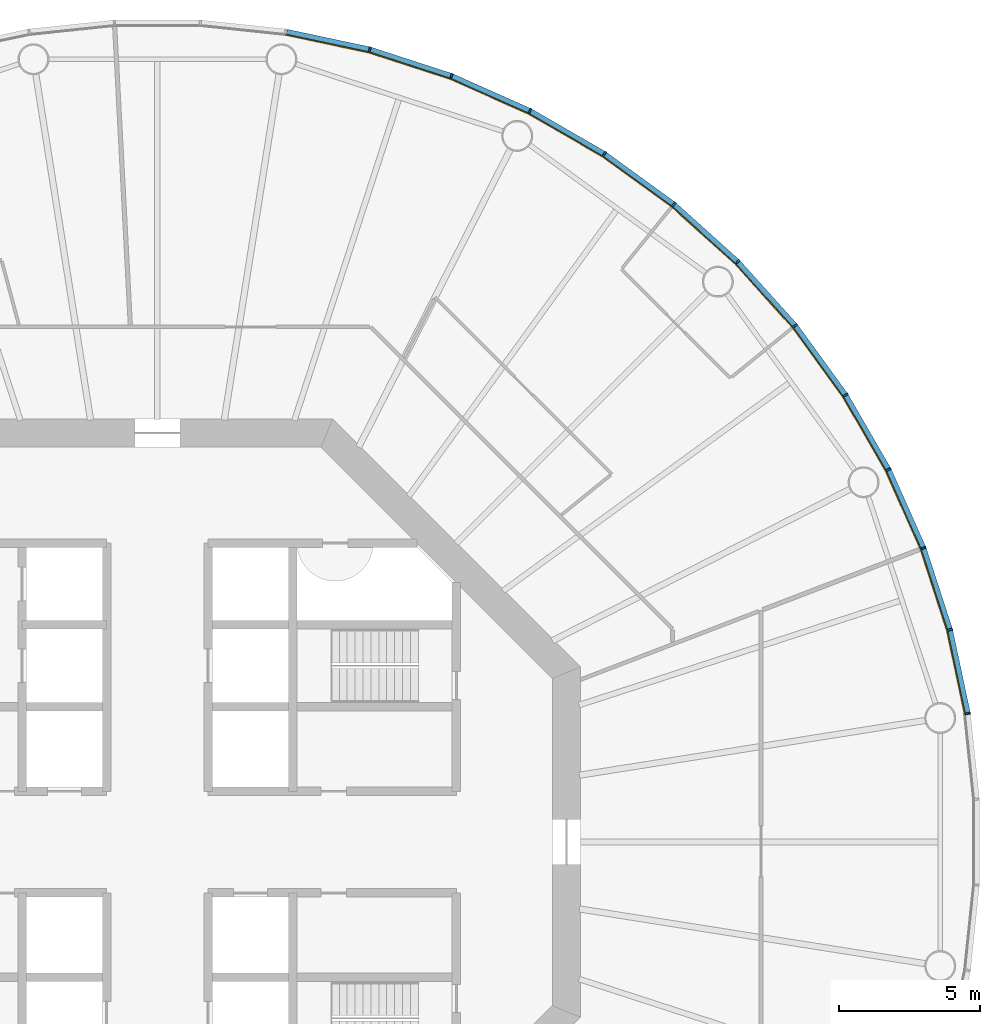
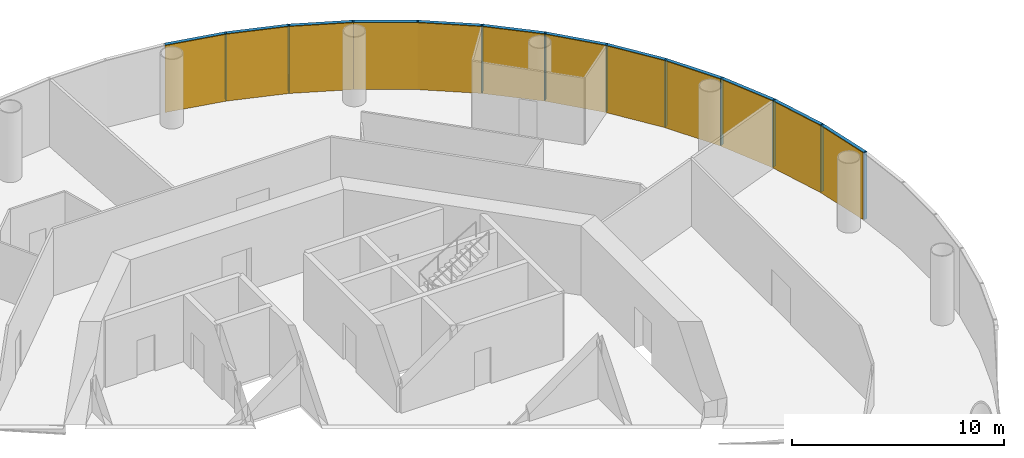
# One storey, part 12 of 13: 24 members, 4 curtain walls.
"""IFC4 building model written with IfcOpenShell, lengths in metres."""

from ifc_helpers import new_model, si_unit, direction, frame, origin, origin_2d, place, context, subcontext, project, spatial, polyline, rectangle, outline, extrude, material, layer, layer_set, material_profile, profile_set, type_object, element, aggregate, save


model = new_model("IFC4")

# Units and contexts
model_context = context("Model", 3, precision=1e-05, world=origin(), true_north=direction((0.0, 1.0)))
body_context = subcontext(model_context, "Body", "Model", "MODEL_VIEW")
ifc_project = project(units=[si_unit("LENGTHUNIT", "METRE"), si_unit("AREAUNIT", "SQUARE_METRE"), si_unit("VOLUMEUNIT", "CUBIC_METRE"), si_unit("PLANEANGLEUNIT", "RADIAN"), si_unit("MASSUNIT", "GRAM", prefix="KILO")], contexts=[model_context])

# Member
ifc_material_1 = material(Name="Anodised aluminium", Category="aluminium")
ifc_material_profile_1 = material_profile(ifc_material_1, rectangle(XDim=0.06494140625, YDim=0.18505859375, at=origin_2d()), Name="Mullion 65 x 185 mm anodised aluminium")
ifc_profile_set_1 = profile_set([ifc_material_profile_1], Name="Anodised aluminium")
member_type_1 = type_object("IfcMemberType", Name="Mullion 65 x 185 mm anodised aluminium", PredefinedType="MULLION", material=ifc_profile_set_1)
site_placement = place(None, origin())
building_placement = place(site_placement, origin())
storey_placement = place(building_placement, frame((0.0, 0.0, 184.0)))
member_1_placement = place(storey_placement, frame((118.734375, 84.551025390625, 0.0), z_axis=(0.0, 0.0, 1.0), x_axis=(-0.15643446504, 0.987688340595, 0.0)))
member_1 = element("IfcMember", 1, at=member_1_placement, type_object=member_type_1, Name="MULLION L42-00", PredefinedType="MULLION", context=body_context, shape_type="SweptSolid", body=[
    extrude(rectangle(XDim=0.06494140625, YDim=0.18505859375, at=origin_2d()), origin(), (0.0, 0.0, 1.0), 3.85009765625),
])

member_2_placement = place(storey_placement, frame((118.101318359375, 87.52978515625, 0.0), z_axis=(0.0, 0.0, 1.0), x_axis=(-0.258819045103, 0.965925826289, 0.0)))
member_2 = element("IfcMember", 2, at=member_2_placement, type_object=member_type_1, Name="MULLION L42-01", PredefinedType="MULLION", context=body_context, shape_type="SweptSolid", body=[
    extrude(rectangle(XDim=0.06494140625, YDim=0.18505859375, at=origin_2d()), origin(), (0.0, 0.0, 1.0), 3.85009765625),
])

member_3_placement = place(storey_placement, frame((117.16015625, 90.42578125, 0.0), z_axis=(0.0, 0.0, 1.0), x_axis=(-0.358367949545, 0.933580426497, 0.0)))
member_3 = element("IfcMember", 3, at=member_3_placement, type_object=member_type_1, Name="MULLION L42-02", PredefinedType="MULLION", context=body_context, shape_type="SweptSolid", body=[
    extrude(rectangle(XDim=0.06494140625, YDim=0.18505859375, at=origin_2d()), origin(), (0.0, 0.0, 1.0), 3.85009765625),
])

member_4_placement = place(storey_placement, frame((115.921630859375, 93.207763671875, 0.0), z_axis=(0.0, 0.0, 1.0), x_axis=(-0.45399049974, 0.891006524188, 0.0)))
member_4 = element("IfcMember", 4, at=member_4_placement, type_object=member_type_1, Name="MULLION L42-03", PredefinedType="MULLION", context=body_context, shape_type="SweptSolid", body=[
    extrude(rectangle(XDim=0.06494140625, YDim=0.18505859375, at=origin_2d()), origin(), (0.0, 0.0, 1.0), 3.85009765625),
])

member_5_placement = place(storey_placement, frame((114.39892578125, 95.844970703125, 0.0), z_axis=(0.0, 0.0, 1.0), x_axis=(-0.544639035015, 0.838670567945, 0.0)))
member_5 = element("IfcMember", 5, at=member_5_placement, type_object=member_type_1, Name="MULLION L42-04", PredefinedType="MULLION", context=body_context, shape_type="SweptSolid", body=[
    extrude(rectangle(XDim=0.06494140625, YDim=0.18505859375, at=origin_2d()), origin(), (0.0, 0.0, 1.0), 3.85009765625),
])

member_6_placement = place(storey_placement, frame((112.609130859375, 98.30859375, 0.0), z_axis=(0.0, 0.0, 1.0), x_axis=(-0.62932039105, 0.777145961457, 0.0)))
member_6 = element("IfcMember", 6, at=member_6_placement, type_object=member_type_1, Name="MULLION L42-05", PredefinedType="MULLION", context=body_context, shape_type="SweptSolid", body=[
    extrude(rectangle(XDim=0.06494140625, YDim=0.18505859375, at=origin_2d()), origin(), (0.0, 0.0, 1.0), 3.85009765625),
])

member_7_placement = place(storey_placement, frame((110.571533203125, 100.571533203125, 0.0), z_axis=(0.0, 0.0, 1.0), x_axis=(-0.707106781187, 0.707106781187, 0.0)))
member_7 = element("IfcMember", 7, at=member_7_placement, type_object=member_type_1, Name="MULLION L42-06", PredefinedType="MULLION", context=body_context, shape_type="SweptSolid", body=[
    extrude(rectangle(XDim=0.06494140625, YDim=0.18505859375, at=origin_2d()), origin(), (0.0, 0.0, 1.0), 3.85009765625),
])

member_8_placement = place(storey_placement, frame((108.30859375, 102.609130859375, 0.0), z_axis=(0.0, 0.0, 1.0), x_axis=(-0.777145961457, 0.62932039105, 0.0)))
member_8 = element("IfcMember", 8, at=member_8_placement, type_object=member_type_1, Name="MULLION L42-07", PredefinedType="MULLION", context=body_context, shape_type="SweptSolid", body=[
    extrude(rectangle(XDim=0.06494140625, YDim=0.18505859375, at=origin_2d()), origin(), (0.0, 0.0, 1.0), 3.85009765625),
])

member_9_placement = place(storey_placement, frame((105.844970703125, 104.39892578125, 0.0), z_axis=(0.0, 0.0, 1.0), x_axis=(-0.838670567945, 0.544639035015, 0.0)))
member_9 = element("IfcMember", 9, at=member_9_placement, type_object=member_type_1, Name="MULLION L42-08", PredefinedType="MULLION", context=body_context, shape_type="SweptSolid", body=[
    extrude(rectangle(XDim=0.06494140625, YDim=0.18505859375, at=origin_2d()), origin(), (0.0, 0.0, 1.0), 3.85009765625),
])

member_10_placement = place(storey_placement, frame((103.207763671875, 105.921630859375, 0.0), z_axis=(0.0, 0.0, 1.0), x_axis=(-0.891006524188, 0.45399049974, 0.0)))
member_10 = element("IfcMember", 10, at=member_10_placement, type_object=member_type_1, Name="MULLION L42-09", PredefinedType="MULLION", context=body_context, shape_type="SweptSolid", body=[
    extrude(rectangle(XDim=0.06494140625, YDim=0.18505859375, at=origin_2d()), origin(), (0.0, 0.0, 1.0), 3.85009765625),
])

member_11_placement = place(storey_placement, frame((100.42578125, 107.16015625, 0.0), z_axis=(0.0, 0.0, 1.0), x_axis=(-0.933580426497, 0.358367949545, 0.0)))
member_11 = element("IfcMember", 11, at=member_11_placement, type_object=member_type_1, Name="MULLION L42-10", PredefinedType="MULLION", context=body_context, shape_type="SweptSolid", body=[
    extrude(rectangle(XDim=0.06494140625, YDim=0.18505859375, at=origin_2d()), origin(), (0.0, 0.0, 1.0), 3.85009765625),
])

member_12_placement = place(storey_placement, frame((97.52978515625, 108.101318359375, 0.0), z_axis=(0.0, 0.0, 1.0), x_axis=(-0.965925826289, 0.258819045103, 0.0)))
member_12 = element("IfcMember", 12, at=member_12_placement, type_object=member_type_1, Name="MULLION L42-11", PredefinedType="MULLION", context=body_context, shape_type="SweptSolid", body=[
    extrude(rectangle(XDim=0.06494140625, YDim=0.18505859375, at=origin_2d()), origin(), (0.0, 0.0, 1.0), 3.85009765625),
])

ifc_material_2 = material(Name="Anodised aluminium", Category="aluminium")
ifc_material_profile_2 = material_profile(ifc_material_2, rectangle(XDim=0.18505859375, YDim=0.175048828125, at=origin_2d()), Name="Transom 175 x 185 mm anodised aluminium")
ifc_profile_set_2 = profile_set([ifc_material_profile_2], Name="Anodised aluminium")
member_type_2 = type_object("IfcMemberType", Name="Transom 175 x 185 mm anodised aluminium", PredefinedType="USERDEFINED", material=ifc_profile_set_2)
member_13_placement = place(storey_placement, frame((118.7265625, 84.587646484375, 3.762451171875), z_axis=(-0.207861704825, 0.97815822425, 0.0), x_axis=(-0.97815822425, -0.207861704825, 0.0)))
member_13 = element("IfcMember", 13, at=member_13_placement, type_object=member_type_2, Name="TRANSOM L42-00", ObjectType="TRANSOM", PredefinedType="USERDEFINED", context=body_context, shape_type="SweptSolid", body=[
    extrude(rectangle(XDim=0.18505859375, YDim=0.175048828125, at=origin_2d()), origin(), (0.0, 0.0, 1.0), 2.970458984375),
])

member_14_placement = place(storey_placement, frame((118.08984375, 87.565185546875, 3.762451171875), z_axis=(-0.30901917063, 0.951055809184, 0.0), x_axis=(-0.951055809184, -0.30901917063, 0.0)))
member_14 = element("IfcMember", 14, at=member_14_placement, type_object=member_type_2, Name="TRANSOM L42-01", ObjectType="TRANSOM", PredefinedType="USERDEFINED", context=body_context, shape_type="SweptSolid", body=[
    extrude(rectangle(XDim=0.18505859375, YDim=0.175048828125, at=origin_2d()), origin(), (0.0, 0.0, 1.0), 2.970703125),
])

member_15_placement = place(storey_placement, frame((117.14501953125, 90.4599609375, 3.762451171875), z_axis=(-0.406687471156, 0.913567348806, 0.0), x_axis=(-0.913567348806, -0.406687471156, 0.0)))
member_15 = element("IfcMember", 15, at=member_15_placement, type_object=member_type_2, Name="TRANSOM L42-02", ObjectType="TRANSOM", PredefinedType="USERDEFINED", context=body_context, shape_type="SweptSolid", body=[
    extrude(rectangle(XDim=0.18505859375, YDim=0.175048828125, at=origin_2d()), origin(), (0.0, 0.0, 1.0), 2.970458984375),
])

member_16_placement = place(storey_placement, frame((115.903076171875, 93.240234375, 3.762451171875), z_axis=(-0.500028367561, 0.866009025146, 0.0), x_axis=(-0.866009025146, -0.500028367561, 0.0)))
member_16 = element("IfcMember", 16, at=member_16_placement, type_object=member_type_2, Name="TRANSOM L42-03", ObjectType="TRANSOM", PredefinedType="USERDEFINED", context=body_context, shape_type="SweptSolid", body=[
    extrude(rectangle(XDim=0.18505859375, YDim=0.175048828125, at=origin_2d()), origin(), (0.0, 0.0, 1.0), 2.970458984375),
])

member_17_placement = place(storey_placement, frame((114.377197265625, 95.875244140625, 3.762451171875), z_axis=(-0.587819781808, 0.808991906087, 0.0), x_axis=(-0.808991906087, -0.587819781808, 0.0)))
member_17 = element("IfcMember", 17, at=member_17_placement, type_object=member_type_2, Name="TRANSOM L42-04", ObjectType="TRANSOM", PredefinedType="USERDEFINED", context=body_context, shape_type="SweptSolid", body=[
    extrude(rectangle(XDim=0.18505859375, YDim=0.175048828125, at=origin_2d()), origin(), (0.0, 0.0, 1.0), 2.970458984375),
])

member_18_placement = place(storey_placement, frame((112.584228515625, 98.33642578125, 3.762451171875), z_axis=(-0.669110027395, 0.743163354343, 0.0), x_axis=(-0.743163354343, -0.669110027395, 0.0)))
member_18 = element("IfcMember", 18, at=member_18_placement, type_object=member_type_2, Name="TRANSOM L42-05", ObjectType="TRANSOM", PredefinedType="USERDEFINED", context=body_context, shape_type="SweptSolid", body=[
    extrude(rectangle(XDim=0.18505859375, YDim=0.175048828125, at=origin_2d()), origin(), (0.0, 0.0, 1.0), 2.970458984375),
])

member_19_placement = place(storey_placement, frame((110.5439453125, 100.5966796875, 3.762451171875), z_axis=(-0.743163354343, 0.669110027395, 0.0), x_axis=(-0.669110027395, -0.743163354343, 0.0)))
member_19 = element("IfcMember", 19, at=member_19_placement, type_object=member_type_2, Name="TRANSOM L42-06", ObjectType="TRANSOM", PredefinedType="USERDEFINED", context=body_context, shape_type="SweptSolid", body=[
    extrude(rectangle(XDim=0.18505859375, YDim=0.175048828125, at=origin_2d()), origin(), (0.0, 0.0, 1.0), 2.970458984375),
])

member_20_placement = place(storey_placement, frame((108.2783203125, 102.631103515625, 3.762451171875), z_axis=(-0.808991906087, 0.587819781808, 0.0), x_axis=(-0.587819781808, -0.808991906087, 0.0)))
member_20 = element("IfcMember", 20, at=member_20_placement, type_object=member_type_2, Name="TRANSOM L42-07", ObjectType="TRANSOM", PredefinedType="USERDEFINED", context=body_context, shape_type="SweptSolid", body=[
    extrude(rectangle(XDim=0.18505859375, YDim=0.175048828125, at=origin_2d()), origin(), (0.0, 0.0, 1.0), 2.970458984375),
])

member_21_placement = place(storey_placement, frame((105.812744140625, 104.417724609375, 3.762451171875), z_axis=(-0.866009025146, 0.500028367561, 0.0), x_axis=(-0.500028367561, -0.866009025146, 0.0)))
member_21 = element("IfcMember", 21, at=member_21_placement, type_object=member_type_2, Name="TRANSOM L42-08", ObjectType="TRANSOM", PredefinedType="USERDEFINED", context=body_context, shape_type="SweptSolid", body=[
    extrude(rectangle(XDim=0.18505859375, YDim=0.175048828125, at=origin_2d()), origin(), (0.0, 0.0, 1.0), 2.970458984375),
])

member_22_placement = place(storey_placement, frame((103.173583984375, 105.93701171875, 3.762451171875), z_axis=(-0.913567348806, 0.406687471156, 0.0), x_axis=(-0.406687471156, -0.913567348806, 0.0)))
member_22 = element("IfcMember", 22, at=member_22_placement, type_object=member_type_2, Name="TRANSOM L42-09", ObjectType="TRANSOM", PredefinedType="USERDEFINED", context=body_context, shape_type="SweptSolid", body=[
    extrude(rectangle(XDim=0.18505859375, YDim=0.175048828125, at=origin_2d()), origin(), (0.0, 0.0, 1.0), 2.970458984375),
])

member_23_placement = place(storey_placement, frame((100.390380859375, 107.171875, 3.762451171875), z_axis=(-0.951055809184, 0.30901917063, 0.0), x_axis=(-0.30901917063, -0.951055809184, 0.0)))
member_23 = element("IfcMember", 23, at=member_23_placement, type_object=member_type_2, Name="TRANSOM L42-10", ObjectType="TRANSOM", PredefinedType="USERDEFINED", context=body_context, shape_type="SweptSolid", body=[
    extrude(rectangle(XDim=0.18505859375, YDim=0.175048828125, at=origin_2d()), origin(), (0.0, 0.0, 1.0), 2.970703125),
])

member_24_placement = place(storey_placement, frame((97.4931640625, 108.109130859375, 3.762451171875), z_axis=(-0.97815822425, 0.207861704825, 0.0), x_axis=(-0.207861704825, -0.97815822425, 0.0)))
member_24 = element("IfcMember", 24, at=member_24_placement, type_object=member_type_2, Name="TRANSOM L42-11", ObjectType="TRANSOM", PredefinedType="USERDEFINED", context=body_context, shape_type="SweptSolid", body=[
    extrude(rectangle(XDim=0.18505859375, YDim=0.175048828125, at=origin_2d()), origin(), (0.0, 0.0, 1.0), 2.970458984375),
])

# Site, building, storey
site = spatial("IfcSite", under=ifc_project, at=site_placement, CompositionType="ELEMENT")
building = spatial("IfcBuilding", under=site, at=building_placement, Name="Entoto Ring Tower", CompositionType="ELEMENT")
storey = spatial("IfcBuildingStorey", under=building, at=storey_placement, Name="L42", CompositionType="ELEMENT", Elevation=184.0)

# Curtain wall
ifc_material_3 = material(Name="Clear low-iron glass", Category="glass")
ifc_layer = layer(ifc_material_3, 0.033935546875)
ifc_layer_set = layer_set([ifc_layer], Name="Clear low-iron glass")
curtain_wall_type = type_object("IfcCurtainWallType", Name="Curtain wall system CW3 glazing 34 mm", PredefinedType="NOTDEFINED", material=ifc_layer_set)
curtain_wall_1_placement = place(storey_placement, origin())
curtain_wall_1 = element("IfcCurtainWall", 25, at=curtain_wall_1_placement, inside=storey, type_object=curtain_wall_type, Name="CW3 L42-01", PredefinedType="NOTDEFINED", context=body_context, shape_type="SweptSolid", body=[
    extrude(outline(polyline([(118.64306640625, 84.53662109375), (118.011962890625, 87.505859375), (117.07373046875, 90.392578125), (115.839111328125, 93.165771484375), (115.808837890625, 93.150146484375), (117.0419921875, 90.38037109375), (117.97900390625, 87.496826171875), (118.609375, 84.53125), (118.64306640625, 84.53662109375)])), origin(), (0.0, 0.0, 1.0), 3.85009765625),
])

aggregate(curtain_wall_1, [member_1, member_2, member_3, member_13, member_14, member_15])

curtain_wall_2_placement = place(storey_placement, origin())
curtain_wall_2 = element("IfcCurtainWall", 26, at=curtain_wall_2_placement, inside=storey, type_object=curtain_wall_type, Name="CW3 L42-02", PredefinedType="NOTDEFINED", context=body_context, shape_type="SweptSolid", body=[
    extrude(outline(polyline([(115.839111328125, 93.165771484375), (114.321533203125, 95.79443359375), (112.537353515625, 98.250244140625), (110.506103515625, 100.506103515625), (110.48193359375, 100.48193359375), (112.5107421875, 98.228759765625), (114.29296875, 95.77587890625), (115.808837890625, 93.150146484375), (115.839111328125, 93.165771484375)])), origin(), (0.0, 0.0, 1.0), 3.85009765625),
])

aggregate(curtain_wall_2, [member_4, member_5, member_6, member_16, member_17, member_18])

curtain_wall_3_placement = place(storey_placement, origin())
curtain_wall_3 = element("IfcCurtainWall", 27, at=curtain_wall_3_placement, inside=storey, type_object=curtain_wall_type, Name="CW3 L42-03", PredefinedType="NOTDEFINED", context=body_context, shape_type="SweptSolid", body=[
    extrude(outline(polyline([(110.506103515625, 100.506103515625), (108.250244140625, 102.537353515625), (105.79443359375, 104.321533203125), (103.165771484375, 105.839111328125), (103.150146484375, 105.808837890625), (105.77587890625, 104.29296875), (108.228759765625, 102.5107421875), (110.48193359375, 100.48193359375), (110.506103515625, 100.506103515625)])), origin(), (0.0, 0.0, 1.0), 3.85009765625),
])

aggregate(curtain_wall_3, [member_7, member_8, member_9, member_19, member_20, member_21])

curtain_wall_4_placement = place(storey_placement, origin())
curtain_wall_4 = element("IfcCurtainWall", 28, at=curtain_wall_4_placement, inside=storey, type_object=curtain_wall_type, Name="CW3 L42-04", PredefinedType="NOTDEFINED", context=body_context, shape_type="SweptSolid", body=[
    extrude(outline(polyline([(103.165771484375, 105.839111328125), (100.392578125, 107.07373046875), (97.505859375, 108.011962890625), (94.53662109375, 108.64306640625), (94.53125, 108.609375), (97.496826171875, 107.97900390625), (100.38037109375, 107.0419921875), (103.150146484375, 105.808837890625), (103.165771484375, 105.839111328125)])), origin(), (0.0, 0.0, 1.0), 3.85009765625),
])

aggregate(curtain_wall_4, [member_10, member_11, member_12, member_22, member_23, member_24])

save(model, "model.ifc")
